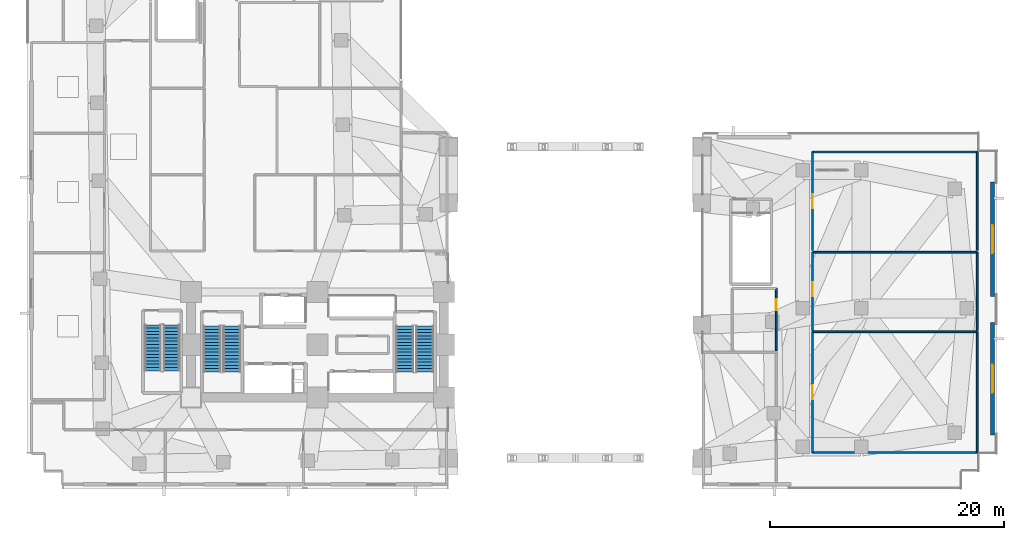
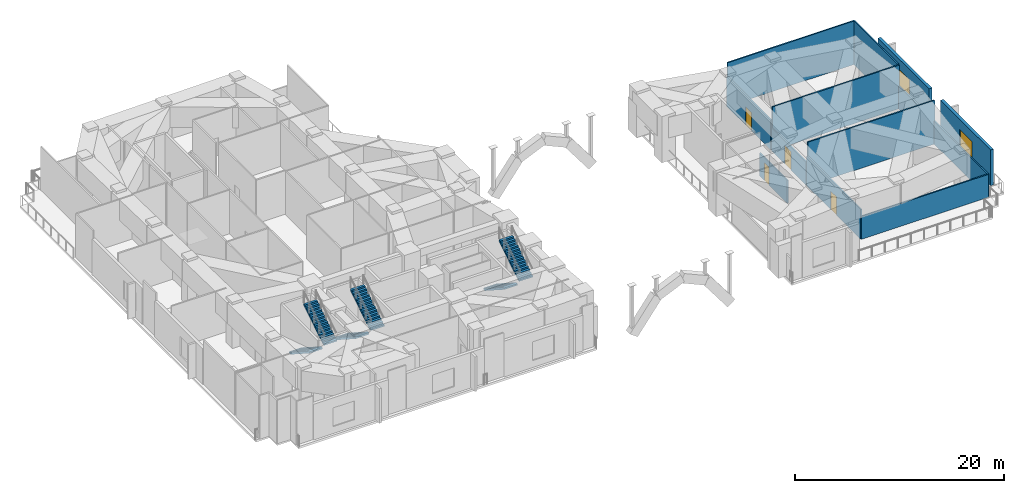
# One storey, part 10 of 15: 13 walls, 6 stair flights, 4 doors, 2 windows, 6 openings, 3 elements without a shape of their own.
"""IFC4 building model written with IfcOpenShell, lengths in metres."""

from ifc_helpers import new_model, si_unit, direction, frame, frame_2d, origin, place, context, subcontext, project, spatial, polyline, rectangle, outline, extrude, material, layer, layer_set, type_object, element, fill, aggregate, save


model = new_model("IFC4")

# Units and contexts
model_context = context("Model", 3, precision=1e-05, world=origin(), true_north=direction((0.0, 1.0)))
body_context = subcontext(model_context, "Body", "Model", "MODEL_VIEW")
ifc_project = project(units=[si_unit("LENGTHUNIT", "METRE"), si_unit("AREAUNIT", "SQUARE_METRE"), si_unit("VOLUMEUNIT", "CUBIC_METRE"), si_unit("PLANEANGLEUNIT", "RADIAN"), si_unit("MASSUNIT", "GRAM", prefix="KILO")], contexts=[model_context])

# Site, building, storey
site_placement = place(None, origin())
site = spatial("IfcSite", under=ifc_project, at=site_placement, CompositionType="ELEMENT")
building_placement = place(site_placement, origin())
building = spatial("IfcBuilding", under=site, at=building_placement, Name="Gaonmaruhae Medical Tower", CompositionType="ELEMENT")
storey_placement = place(building_placement, frame((0.0, 0.0, 21.60009765625)))
storey = spatial("IfcBuildingStorey", under=building, at=storey_placement, Name="L04", CompositionType="ELEMENT", Elevation=21.60009765625)

# Wall, opening, window
ifc_material_1 = material(Name="Precast concrete C45/55", Category="concrete")
ifc_layer_1 = layer(ifc_material_1, 0.320068359375)
ifc_layer_set_1 = layer_set([ifc_layer_1], Name="Precast concrete C45/55")
wall_type_1 = type_object("IfcWallType", Name="EW-320 Lower Precast Masonry-Frame Facade Wall", PredefinedType="SOLIDWALL", material=ifc_layer_set_1)
wall_1_placement = place(storey_placement, frame((82.39990234375, 14.199951171875, 0.0), z_axis=(0.0, 0.0, 1.0), x_axis=(0.0, -1.0, 0.0)))
wall_1 = element("IfcWall", 1, at=wall_1_placement, inside=storey, type_object=wall_type_1, Name="L04 Precast Facade Wall PB-E1", PredefinedType="SOLIDWALL", context=body_context, shape_type="SweptSolid", body=[
    extrude(rectangle(XDim=9.599853515625, YDim=0.320068359375, at=frame_2d((4.7998046875, 0.0))), origin(), (0.0, 0.0, 1.0), 4.179931640625),
])
opening_1_placement = place(wall_1_placement, frame((3.60009765625, 0.0, 0.800048828125)))
opening_1 = element("IfcOpeningElement", 2, at=opening_1_placement, cuts=wall_1, Name="Opening WN-06", PredefinedType="OPENING", context=body_context, shape_type="SweptSolid", body=[
    extrude(rectangle(XDim=2.39990234375, YDim=2.199951171875, at=frame_2d((1.199951171875, 1.10009765625))), frame((0.0, 0.169921875, 0.0), z_axis=(0.0, -1.0, 0.0), x_axis=(1.0, 0.0, 0.0)), (0.0, 0.0, 1.0), 0.340087890625),
])
ifc_material_2 = material(Name="Anodised aluminium and Low-E double glazing", Category="aluminium")
window_type = type_object("IfcWindowType", Name="WN-06 Podium Diagnostic Punched Window 2400x2200", PartitioningType="SINGLE_PANEL", PredefinedType="WINDOW", material=ifc_material_2)
window_1_placement = place(opening_1_placement, origin())
window_1 = element("IfcWindow", 3, at=window_1_placement, inside=storey, type_object=window_type, Name="L04 Podium Punched Window PB-E1", OverallHeight=2.199951171875, OverallWidth=2.39990234375, PartitioningType="SINGLE_PANEL", PredefinedType="WINDOW", context=body_context, shape_type="SweptSolid", body=[
    extrude(rectangle(XDim=2.39990234375, YDim=2.199951171875, at=frame_2d((1.199951171875, 1.10009765625))), frame((0.0, 0.030029296875, 0.0), z_axis=(0.0, -1.0, 0.0), x_axis=(1.0, 0.0, 0.0)), (0.0, 0.0, 1.0), 0.06005859375),
])
fill(opening_1, window_1)

wall_2_placement = place(storey_placement, frame((82.39990234375, 26.199951171875, 0.0), z_axis=(0.0, 0.0, 1.0), x_axis=(0.0, -1.0, 0.0)))
wall_2 = element("IfcWall", 4, at=wall_2_placement, inside=storey, type_object=wall_type_1, Name="L04 Precast Facade Wall PB-E2", PredefinedType="SOLIDWALL", context=body_context, shape_type="SweptSolid", body=[
    extrude(rectangle(XDim=9.800048828125, YDim=0.320068359375, at=frame_2d((4.89990234375, 0.0))), origin(), (0.0, 0.0, 1.0), 4.179931640625),
])
opening_2_placement = place(wall_2_placement, frame((3.699951171875, 0.0, 0.800048828125)))
opening_2 = element("IfcOpeningElement", 5, at=opening_2_placement, cuts=wall_2, Name="Opening WN-06", PredefinedType="OPENING", context=body_context, shape_type="SweptSolid", body=[
    extrude(rectangle(XDim=2.39990234375, YDim=2.199951171875, at=frame_2d((1.199951171875, 1.10009765625))), frame((0.0, 0.169921875, 0.0), z_axis=(0.0, -1.0, 0.0), x_axis=(1.0, 0.0, 0.0)), (0.0, 0.0, 1.0), 0.340087890625),
])
window_2_placement = place(opening_2_placement, origin())
window_2 = element("IfcWindow", 6, at=window_2_placement, inside=storey, type_object=window_type, Name="L04 Podium Punched Window PB-E2", OverallHeight=2.199951171875, OverallWidth=2.39990234375, PartitioningType="SINGLE_PANEL", PredefinedType="WINDOW", context=body_context, shape_type="SweptSolid", body=[
    extrude(rectangle(XDim=2.39990234375, YDim=2.199951171875, at=frame_2d((1.199951171875, 1.10009765625))), frame((0.0, 0.030029296875, 0.0), z_axis=(0.0, -1.0, 0.0), x_axis=(1.0, 0.0, 0.0)), (0.0, 0.0, 1.0), 0.06005859375),
])
fill(opening_2, window_2)

# Walls
ifc_material_3 = material(Name="Gypsum board partition", Category="gypsum")
ifc_layer_2 = layer(ifc_material_3, 0.14990234375)
ifc_layer_set_2 = layer_set([ifc_layer_2], Name="Gypsum board partition")
wall_type_2 = type_object("IfcWallType", Name="PW-150 Rated Clinical Corridor Partition", PredefinedType="PARTITIONING", material=ifc_layer_set_2)
wall_3_placement = place(storey_placement, frame((67.050048828125, 13.39990234375, 0.0), z_axis=(0.0, 0.0, 1.0), x_axis=(1.0, 0.0, 0.0)))
element("IfcWall", 7, at=wall_3_placement, inside=storey, type_object=wall_type_2, Name="L04 Interior Partition L04-EA1-20", PredefinedType="PARTITIONING", context=body_context, shape_type="SweptSolid", body=[
    extrude(rectangle(XDim=14.050048828125, YDim=0.14990234375, at=frame_2d((7.02490234375, 0.0))), origin(), (0.0, 0.0, 1.0), 5.099853515625),
])
wall_4_placement = place(storey_placement, frame((81.10009765625, 13.39990234375, 0.0), z_axis=(0.0, 0.0, 1.0), x_axis=(0.0, -1.0, 0.0)))
element("IfcWall", 8, at=wall_4_placement, inside=storey, type_object=wall_type_2, Name="L04 Interior Partition L04-EA1-21", PredefinedType="PARTITIONING", context=body_context, shape_type="SweptSolid", body=[
    extrude(rectangle(XDim=10.2998046875, YDim=0.14990234375, at=frame_2d((5.14990234375, 0.0))), origin(), (0.0, 0.0, 1.0), 2.684814453125),
])
wall_5_placement = place(storey_placement, frame((81.10009765625, 3.10009765625, 0.0), z_axis=(0.0, 0.0, 1.0), x_axis=(-1.0, 0.0, 0.0)))
element("IfcWall", 9, at=wall_5_placement, inside=storey, type_object=wall_type_2, Name="L04 Interior Partition L04-EA1-22", PredefinedType="PARTITIONING", context=body_context, shape_type="SweptSolid", body=[
    extrude(rectangle(XDim=14.050048828125, YDim=0.14990234375, at=frame_2d((7.02490234375, 0.0))), origin(), (0.0, 0.0, 1.0), 2.684814453125),
])

# Wall, opening, door
wall_6_placement = place(storey_placement, frame((67.050048828125, 3.10009765625, 0.0), z_axis=(0.0, 0.0, 1.0), x_axis=(0.0, 1.0, 0.0)))
wall_6 = element("IfcWall", 10, at=wall_6_placement, inside=storey, type_object=wall_type_2, Name="L04 Interior Partition L04-EA1-23", PredefinedType="PARTITIONING", context=body_context, shape_type="SweptSolid", body=[
    extrude(rectangle(XDim=10.2998046875, YDim=0.14990234375, at=frame_2d((5.14990234375, 0.0))), origin(), (0.0, 0.0, 1.0), 3.48486328125),
])
opening_3_placement = place(wall_6_placement, frame((4.550048828125, 0.0, 0.0)))
opening_3 = element("IfcOpeningElement", 11, at=opening_3_placement, cuts=wall_6, Name="Opening CD-02", PredefinedType="OPENING", context=body_context, shape_type="SweptSolid", body=[
    extrude(rectangle(XDim=1.199951171875, YDim=2.14990234375, at=frame_2d((0.60009765625, 1.074951171875))), frame((0.0, 0.0849609375, 0.0), z_axis=(0.0, -1.0, 0.0), x_axis=(1.0, 0.0, 0.0)), (0.0, 0.0, 1.0), 0.169921875),
])
ifc_material_4 = material(Name="Antimicrobial laminate timber fire door", Category="wood")
door_type_1 = type_object("IfcDoorType", Name="CD-02 Clinical Treatment & Procedure Door 1200x2150", OperationType="NOTDEFINED", PredefinedType="DOOR", material=ifc_material_4)
door_1_placement = place(opening_3_placement, origin())
door_1 = element("IfcDoor", 12, at=door_1_placement, inside=storey, type_object=door_type_1, Name="L04 L04 Molecular Pathology Laboratory Door", OperationType="SINGLE_SWING_LEFT", OverallHeight=2.14990234375, OverallWidth=1.199951171875, PredefinedType="DOOR", context=body_context, shape_type="SweptSolid", body=[
    extrude(rectangle(XDim=1.199951171875, YDim=2.14990234375, at=frame_2d((0.60009765625, 1.074951171875))), frame((0.0, 0.02490234375, 0.0), z_axis=(0.0, -1.0, 0.0), x_axis=(1.0, 0.0, 0.0)), (0.0, 0.0, 1.0), 0.050048828125),
])
fill(opening_3, door_1)

# Walls
wall_7_placement = place(storey_placement, frame((67.050048828125, 20.199951171875, 0.0), z_axis=(0.0, 0.0, 1.0), x_axis=(1.0, 0.0, 0.0)))
element("IfcWall", 13, at=wall_7_placement, inside=storey, type_object=wall_type_2, Name="L04 Interior Partition L04-EA2-24", PredefinedType="PARTITIONING", context=body_context, shape_type="SweptSolid", body=[
    extrude(rectangle(XDim=14.050048828125, YDim=0.14990234375, at=frame_2d((7.02490234375, 0.0))), origin(), (0.0, 0.0, 1.0), 5.099853515625),
])
wall_8_placement = place(storey_placement, frame((81.10009765625, 20.199951171875, 0.0), z_axis=(0.0, 0.0, 1.0), x_axis=(0.0, -1.0, 0.0)))
element("IfcWall", 14, at=wall_8_placement, inside=storey, type_object=wall_type_2, Name="L04 Interior Partition L04-EA2-25", PredefinedType="PARTITIONING", context=body_context, shape_type="SweptSolid", body=[
    extrude(rectangle(XDim=6.64990234375, YDim=0.14990234375, at=frame_2d((3.324951171875, 0.0))), origin(), (0.0, 0.0, 1.0), 2.684814453125),
])

# Wall, opening, door
wall_9_placement = place(storey_placement, frame((67.050048828125, 13.550048828125, 0.0), z_axis=(0.0, 0.0, 1.0), x_axis=(0.0, 1.0, 0.0)))
wall_9 = element("IfcWall", 15, at=wall_9_placement, inside=storey, type_object=wall_type_2, Name="L04 Interior Partition L04-EA2-26", PredefinedType="PARTITIONING", context=body_context, shape_type="SweptSolid", body=[
    extrude(rectangle(XDim=6.64990234375, YDim=0.14990234375, at=frame_2d((3.324951171875, 0.0))), origin(), (0.0, 0.0, 1.0), 2.684814453125),
])
opening_4_placement = place(wall_9_placement, frame((2.87158203125, 0.0, 0.0)))
opening_4 = element("IfcOpeningElement", 16, at=opening_4_placement, cuts=wall_9, Name="Opening CD-02", PredefinedType="OPENING", context=body_context, shape_type="SweptSolid", body=[
    extrude(rectangle(XDim=1.199951171875, YDim=2.14990234375, at=frame_2d((0.60009765625, 1.074951171875))), frame((0.0, 0.0849609375, 0.0), z_axis=(0.0, -1.0, 0.0), x_axis=(1.0, 0.0, 0.0)), (0.0, 0.0, 1.0), 0.169921875),
])
door_2_placement = place(opening_4_placement, origin())
door_2 = element("IfcDoor", 17, at=door_2_placement, inside=storey, type_object=door_type_1, Name="L04 L04 Clinical Research Seminar Room Door", OperationType="SINGLE_SWING_RIGHT", OverallHeight=2.14990234375, OverallWidth=1.199951171875, PredefinedType="DOOR", context=body_context, shape_type="SweptSolid", body=[
    extrude(rectangle(XDim=1.199951171875, YDim=2.14990234375, at=frame_2d((0.60009765625, 1.074951171875))), frame((0.0, 0.02490234375, 0.0), z_axis=(0.0, -1.0, 0.0), x_axis=(1.0, 0.0, 0.0)), (0.0, 0.0, 1.0), 0.050048828125),
])
fill(opening_4, door_2)

# Walls
wall_10_placement = place(storey_placement, frame((67.050048828125, 28.75, 0.0), z_axis=(0.0, 0.0, 1.0), x_axis=(1.0, 0.0, 0.0)))
element("IfcWall", 18, at=wall_10_placement, inside=storey, type_object=wall_type_2, Name="L04 Interior Partition L04-EA3-27", PredefinedType="PARTITIONING", context=body_context, shape_type="SweptSolid", body=[
    extrude(rectangle(XDim=14.050048828125, YDim=0.14990234375, at=frame_2d((7.02490234375, 0.0))), origin(), (0.0, 0.0, 1.0), 5.099853515625),
])
wall_11_placement = place(storey_placement, frame((81.10009765625, 28.75, 0.0), z_axis=(0.0, 0.0, 1.0), x_axis=(0.0, -1.0, 0.0)))
element("IfcWall", 19, at=wall_11_placement, inside=storey, type_object=wall_type_2, Name="L04 Interior Partition L04-EA3-28", PredefinedType="PARTITIONING", context=body_context, shape_type="SweptSolid", body=[
    extrude(rectangle(XDim=8.39990234375, YDim=0.14990234375, at=frame_2d((4.199951171875, 0.0))), origin(), (0.0, 0.0, 1.0), 5.099853515625),
])

# Wall, opening, door
wall_12_placement = place(storey_placement, frame((67.050048828125, 20.35009765625, 0.0), z_axis=(0.0, 0.0, 1.0), x_axis=(0.0, 1.0, 0.0)))
wall_12 = element("IfcWall", 20, at=wall_12_placement, inside=storey, type_object=wall_type_2, Name="L04 Interior Partition L04-EA3-29", PredefinedType="PARTITIONING", context=body_context, shape_type="SweptSolid", body=[
    extrude(rectangle(XDim=8.39990234375, YDim=0.14990234375, at=frame_2d((4.199951171875, 0.0))), origin(), (0.0, 0.0, 1.0), 3.48486328125),
])
opening_5_placement = place(wall_12_placement, frame((3.60009765625, 0.0, 0.0)))
opening_5 = element("IfcOpeningElement", 21, at=opening_5_placement, cuts=wall_12, Name="Opening CD-02", PredefinedType="OPENING", context=body_context, shape_type="SweptSolid", body=[
    extrude(rectangle(XDim=1.199951171875, YDim=2.14990234375, at=frame_2d((0.60009765625, 1.074951171875))), frame((0.0, 0.0849609375, 0.0), z_axis=(0.0, -1.0, 0.0), x_axis=(1.0, 0.0, 0.0)), (0.0, 0.0, 1.0), 0.169921875),
])
door_3_placement = place(opening_5_placement, origin())
door_3 = element("IfcDoor", 22, at=door_3_placement, inside=storey, type_object=door_type_1, Name="L04 L04 Biomedical Engineering Suite Door", OperationType="SINGLE_SWING_RIGHT", OverallHeight=2.14990234375, OverallWidth=1.199951171875, PredefinedType="DOOR", context=body_context, shape_type="SweptSolid", body=[
    extrude(rectangle(XDim=1.199951171875, YDim=2.14990234375, at=frame_2d((0.60009765625, 1.074951171875))), frame((0.0, 0.02490234375, 0.0), z_axis=(0.0, -1.0, 0.0), x_axis=(1.0, 0.0, 0.0)), (0.0, 0.0, 1.0), 0.050048828125),
])
fill(opening_5, door_3)

wall_13_placement = place(storey_placement, frame((63.949951171875, 17.10009765625, 0.0), z_axis=(0.0, 0.0, 1.0), x_axis=(0.0, -1.0, 0.0)))
wall_13 = element("IfcWall", 23, at=wall_13_placement, inside=storey, type_object=wall_type_2, Name="L04 Interior Partition L04-EAW-35", PredefinedType="PARTITIONING", context=body_context, shape_type="SweptSolid", body=[
    extrude(rectangle(XDim=5.300048828125, YDim=0.14990234375, at=frame_2d((2.64990234375, 0.0))), origin(), (0.0, 0.0, 1.0), 2.684814453125),
])
opening_6_placement = place(wall_13_placement, frame((0.929443359375, 0.0, 0.0)))
opening_6 = element("IfcOpeningElement", 24, at=opening_6_placement, cuts=wall_13, Name="Opening UD-01", PredefinedType="OPENING", context=body_context, shape_type="SweptSolid", body=[
    extrude(rectangle(XDim=0.919921875, YDim=2.10009765625, at=frame_2d((0.4599609375, 1.050048828125))), frame((0.0, 0.0849609375, 0.0), z_axis=(0.0, -1.0, 0.0), x_axis=(1.0, 0.0, 0.0)), (0.0, 0.0, 1.0), 0.169921875),
])
ifc_material_5 = material(Name="Powder-coated steel utility door", Category="steel")
door_type_2 = type_object("IfcDoorType", Name="UD-01 Toilet, Utility & Housekeeping Door 920x2100", OperationType="NOTDEFINED", PredefinedType="DOOR", material=ifc_material_5)
door_4_placement = place(opening_6_placement, origin())
door_4 = element("IfcDoor", 25, at=door_4_placement, inside=storey, type_object=door_type_2, Name="L04 L04 East Annex Accessible Toilet Door", OperationType="SINGLE_SWING_LEFT", OverallHeight=2.10009765625, OverallWidth=0.919921875, PredefinedType="DOOR", context=body_context, shape_type="SweptSolid", body=[
    extrude(rectangle(XDim=0.919921875, YDim=2.10009765625, at=frame_2d((0.4599609375, 1.050048828125))), frame((0.0, 0.02490234375, 0.0), z_axis=(0.0, -1.0, 0.0), x_axis=(1.0, 0.0, 0.0)), (0.0, 0.0, 1.0), 0.050048828125),
])
fill(opening_6, door_4)

# Stair, stair flights
ifc_material_6 = material(Name="Concrete C40/50", Category="concrete")
stair_type_1 = type_object("IfcStairType", Name="ST-T1 Primary Core Escape Dogleg Stair", PredefinedType="TWO_QUARTER_TURN_STAIR", material=ifc_material_6)
stair_1_placement = place(storey_placement, origin())
stair_1 = element("IfcStair", 26, at=stair_1_placement, inside=storey, type_object=stair_type_1, Name="L04 Protected Escape Stair ST-01", PredefinedType="TWO_QUARTER_TURN_STAIR")
stair_flight_type_1 = type_object("IfcStairFlightType", Name="SF-T1 Primary Core Precast Stair Flight", PredefinedType="STRAIGHT", material=ifc_material_6)
stair_flight_1_placement = place(storey_placement, frame((15.800048828125, 13.89990234375, 0.0), z_axis=(0.0, 0.0, 1.0), x_axis=(0.0, -1.0, 0.0)))
stair_flight_1 = element("IfcStairFlight", 27, at=stair_flight_1_placement, type_object=stair_flight_type_1, Name="ST-01 flight 1", NumberOfRisers=15, NumberOfTreads=14, PredefinedType="STRAIGHT", RiserHeight=0.18, TreadLength=0.28, context=body_context, shape_type="SweptSolid", body=[
    extrude(outline(polyline([(0.0, 0.0), (0.0, 0.179931640625), (0.280029296875, 0.179931640625), (0.280029296875, 0.360107421875), (0.56005859375, 0.360107421875), (0.56005859375, 0.5400390625), (0.840087890625, 0.5400390625), (0.840087890625, 0.719970703125), (1.1201171875, 0.719970703125), (1.1201171875, 0.89990234375), (1.39990234375, 0.89990234375), (1.39990234375, 1.080078125), (1.679931640625, 1.080078125), (1.679931640625, 1.260009765625), (1.9599609375, 1.260009765625), (1.9599609375, 1.43994140625), (2.239990234375, 1.43994140625), (2.239990234375, 1.6201171875), (2.52001953125, 1.6201171875), (2.52001953125, 1.800048828125), (2.800048828125, 1.800048828125), (2.800048828125, 1.97998046875), (3.080078125, 1.97998046875), (3.080078125, 2.159912109375), (3.360107421875, 2.159912109375), (3.360107421875, 2.340087890625), (3.639892578125, 2.340087890625), (3.639892578125, 2.52001953125), (3.919921875, 2.52001953125), (3.919921875, 2.699951171875), (3.919921875, 2.341796875), (0.277099609375, 0.0), (0.0, 0.0)])), frame((0.0, 0.75, 0.0), z_axis=(0.0, -1.0, 0.0), x_axis=(1.0, 0.0, 0.0)), (0.0, 0.0, 1.0), 1.5),
])
stair_flight_2_placement = place(storey_placement, frame((17.5, 9.97998046875, 2.699951171875), z_axis=(0.0, 0.0, 1.0), x_axis=(0.0, 1.0, 0.0)))
stair_flight_2 = element("IfcStairFlight", 28, at=stair_flight_2_placement, type_object=stair_flight_type_1, Name="ST-01 flight 2", NumberOfRisers=15, NumberOfTreads=14, PredefinedType="STRAIGHT", RiserHeight=0.18, TreadLength=0.28, context=body_context, shape_type="SweptSolid", body=[
    extrude(outline(polyline([(0.0, 0.0), (0.0, 0.179931640625), (0.280029296875, 0.179931640625), (0.280029296875, 0.360107421875), (0.56005859375, 0.360107421875), (0.56005859375, 0.5400390625), (0.840087890625, 0.5400390625), (0.840087890625, 0.719970703125), (1.1201171875, 0.719970703125), (1.1201171875, 0.89990234375), (1.39990234375, 0.89990234375), (1.39990234375, 1.080078125), (1.679931640625, 1.080078125), (1.679931640625, 1.260009765625), (1.9599609375, 1.260009765625), (1.9599609375, 1.43994140625), (2.239990234375, 1.43994140625), (2.239990234375, 1.6201171875), (2.52001953125, 1.6201171875), (2.52001953125, 1.800048828125), (2.800048828125, 1.800048828125), (2.800048828125, 1.97998046875), (3.080078125, 1.97998046875), (3.080078125, 2.159912109375), (3.360107421875, 2.159912109375), (3.360107421875, 2.340087890625), (3.639892578125, 2.340087890625), (3.639892578125, 2.52001953125), (3.919921875, 2.52001953125), (3.919921875, 2.699951171875), (3.919921875, 2.341796875), (0.277099609375, 0.0), (0.0, 0.0)])), frame((0.0, 0.75, 0.0), z_axis=(0.0, -1.0, 0.0), x_axis=(1.0, 0.0, 0.0)), (0.0, 0.0, 1.0), 1.5),
])
aggregate(stair_1, [stair_flight_1, stair_flight_2])

stair_2_placement = place(storey_placement, origin())
stair_2 = element("IfcStair", 29, at=stair_2_placement, inside=storey, type_object=stair_type_1, Name="L04 Protected Escape Stair ST-02", PredefinedType="TWO_QUARTER_TURN_STAIR")
stair_flight_3_placement = place(storey_placement, frame((32.25, 13.89990234375, 0.0), z_axis=(0.0, 0.0, 1.0), x_axis=(0.0, -1.0, 0.0)))
stair_flight_3 = element("IfcStairFlight", 30, at=stair_flight_3_placement, type_object=stair_flight_type_1, Name="ST-02 flight 1", NumberOfRisers=15, NumberOfTreads=14, PredefinedType="STRAIGHT", RiserHeight=0.18, TreadLength=0.28, context=body_context, shape_type="SweptSolid", body=[
    extrude(outline(polyline([(0.0, 0.0), (0.0, 0.179931640625), (0.280029296875, 0.179931640625), (0.280029296875, 0.360107421875), (0.56005859375, 0.360107421875), (0.56005859375, 0.5400390625), (0.840087890625, 0.5400390625), (0.840087890625, 0.719970703125), (1.1201171875, 0.719970703125), (1.1201171875, 0.89990234375), (1.39990234375, 0.89990234375), (1.39990234375, 1.080078125), (1.679931640625, 1.080078125), (1.679931640625, 1.260009765625), (1.9599609375, 1.260009765625), (1.9599609375, 1.43994140625), (2.239990234375, 1.43994140625), (2.239990234375, 1.6201171875), (2.52001953125, 1.6201171875), (2.52001953125, 1.800048828125), (2.800048828125, 1.800048828125), (2.800048828125, 1.97998046875), (3.080078125, 1.97998046875), (3.080078125, 2.159912109375), (3.360107421875, 2.159912109375), (3.360107421875, 2.340087890625), (3.639892578125, 2.340087890625), (3.639892578125, 2.52001953125), (3.919921875, 2.52001953125), (3.919921875, 2.699951171875), (3.919921875, 2.341796875), (0.277099609375, 0.0), (0.0, 0.0)])), frame((0.0, 0.75, 0.0), z_axis=(0.0, -1.0, 0.0), x_axis=(1.0, 0.0, 0.0)), (0.0, 0.0, 1.0), 1.5),
])
stair_flight_4_placement = place(storey_placement, frame((33.949951171875, 9.97998046875, 2.699951171875), z_axis=(0.0, 0.0, 1.0), x_axis=(0.0, 1.0, 0.0)))
stair_flight_4 = element("IfcStairFlight", 31, at=stair_flight_4_placement, type_object=stair_flight_type_1, Name="ST-02 flight 2", NumberOfRisers=15, NumberOfTreads=14, PredefinedType="STRAIGHT", RiserHeight=0.18, TreadLength=0.28, context=body_context, shape_type="SweptSolid", body=[
    extrude(outline(polyline([(0.0, 0.0), (0.0, 0.179931640625), (0.280029296875, 0.179931640625), (0.280029296875, 0.360107421875), (0.56005859375, 0.360107421875), (0.56005859375, 0.5400390625), (0.840087890625, 0.5400390625), (0.840087890625, 0.719970703125), (1.1201171875, 0.719970703125), (1.1201171875, 0.89990234375), (1.39990234375, 0.89990234375), (1.39990234375, 1.080078125), (1.679931640625, 1.080078125), (1.679931640625, 1.260009765625), (1.9599609375, 1.260009765625), (1.9599609375, 1.43994140625), (2.239990234375, 1.43994140625), (2.239990234375, 1.6201171875), (2.52001953125, 1.6201171875), (2.52001953125, 1.800048828125), (2.800048828125, 1.800048828125), (2.800048828125, 1.97998046875), (3.080078125, 1.97998046875), (3.080078125, 2.159912109375), (3.360107421875, 2.159912109375), (3.360107421875, 2.340087890625), (3.639892578125, 2.340087890625), (3.639892578125, 2.52001953125), (3.919921875, 2.52001953125), (3.919921875, 2.699951171875), (3.919921875, 2.341796875), (0.277099609375, 0.0), (0.0, 0.0)])), frame((0.0, 0.75, 0.0), z_axis=(0.0, -1.0, 0.0), x_axis=(1.0, 0.0, 0.0)), (0.0, 0.0, 1.0), 1.5),
])
aggregate(stair_2, [stair_flight_3, stair_flight_4])

stair_type_2 = type_object("IfcStairType", Name="ST-T2 Zone 1 Escape Dogleg Stair", PredefinedType="TWO_QUARTER_TURN_STAIR", material=ifc_material_6)
stair_3_placement = place(storey_placement, origin())
stair_3 = element("IfcStair", 32, at=stair_3_placement, inside=storey, type_object=stair_type_2, Name="L04 Protected Escape Stair ST-03", PredefinedType="TWO_QUARTER_TURN_STAIR")
stair_flight_type_2 = type_object("IfcStairFlightType", Name="SF-T2 Zone 1 Precast Stair Flight", PredefinedType="STRAIGHT", material=ifc_material_6)
stair_flight_5_placement = place(storey_placement, frame((10.75, 14.0, 0.0), z_axis=(0.0, 0.0, 1.0), x_axis=(0.0, -1.0, 0.0)))
stair_flight_5 = element("IfcStairFlight", 33, at=stair_flight_5_placement, type_object=stair_flight_type_2, Name="ST-03 flight 1", NumberOfRisers=15, NumberOfTreads=14, PredefinedType="STRAIGHT", RiserHeight=0.18, TreadLength=0.28, context=body_context, shape_type="SweptSolid", body=[
    extrude(outline(polyline([(0.0, 0.0), (0.0, 0.179931640625), (0.280029296875, 0.179931640625), (0.280029296875, 0.360107421875), (0.56005859375, 0.360107421875), (0.56005859375, 0.5400390625), (0.840087890625, 0.5400390625), (0.840087890625, 0.719970703125), (1.1201171875, 0.719970703125), (1.1201171875, 0.89990234375), (1.39990234375, 0.89990234375), (1.39990234375, 1.080078125), (1.679931640625, 1.080078125), (1.679931640625, 1.260009765625), (1.9599609375, 1.260009765625), (1.9599609375, 1.43994140625), (2.239990234375, 1.43994140625), (2.239990234375, 1.6201171875), (2.52001953125, 1.6201171875), (2.52001953125, 1.800048828125), (2.800048828125, 1.800048828125), (2.800048828125, 1.97998046875), (3.080078125, 1.97998046875), (3.080078125, 2.159912109375), (3.360107421875, 2.159912109375), (3.360107421875, 2.340087890625), (3.639892578125, 2.340087890625), (3.639892578125, 2.52001953125), (3.919921875, 2.52001953125), (3.919921875, 2.699951171875), (3.919921875, 2.341796875), (0.277099609375, 0.0), (0.0, 0.0)])), frame((0.0, 0.699951171875, 0.0), z_axis=(0.0, -1.0, 0.0), x_axis=(1.0, 0.0, 0.0)), (0.0, 0.0, 1.0), 1.39990234375),
])
stair_flight_6_placement = place(storey_placement, frame((12.35009765625, 10.080078125, 2.699951171875), z_axis=(0.0, 0.0, 1.0), x_axis=(0.0, 1.0, 0.0)))
stair_flight_6 = element("IfcStairFlight", 34, at=stair_flight_6_placement, type_object=stair_flight_type_2, Name="ST-03 flight 2", NumberOfRisers=15, NumberOfTreads=14, PredefinedType="STRAIGHT", RiserHeight=0.18, TreadLength=0.28, context=body_context, shape_type="SweptSolid", body=[
    extrude(outline(polyline([(0.0, 0.0), (0.0, 0.179931640625), (0.280029296875, 0.179931640625), (0.280029296875, 0.360107421875), (0.56005859375, 0.360107421875), (0.56005859375, 0.5400390625), (0.840087890625, 0.5400390625), (0.840087890625, 0.719970703125), (1.1201171875, 0.719970703125), (1.1201171875, 0.89990234375), (1.39990234375, 0.89990234375), (1.39990234375, 1.080078125), (1.679931640625, 1.080078125), (1.679931640625, 1.260009765625), (1.9599609375, 1.260009765625), (1.9599609375, 1.43994140625), (2.239990234375, 1.43994140625), (2.239990234375, 1.6201171875), (2.52001953125, 1.6201171875), (2.52001953125, 1.800048828125), (2.800048828125, 1.800048828125), (2.800048828125, 1.97998046875), (3.080078125, 1.97998046875), (3.080078125, 2.159912109375), (3.360107421875, 2.159912109375), (3.360107421875, 2.340087890625), (3.639892578125, 2.340087890625), (3.639892578125, 2.52001953125), (3.919921875, 2.52001953125), (3.919921875, 2.699951171875), (3.919921875, 2.341796875), (0.277099609375, 0.0), (0.0, 0.0)])), frame((0.0, 0.699951171875, 0.0), z_axis=(0.0, -1.0, 0.0), x_axis=(1.0, 0.0, 0.0)), (0.0, 0.0, 1.0), 1.39990234375),
])
aggregate(stair_3, [stair_flight_5, stair_flight_6])

save(model, "model.ifc")
